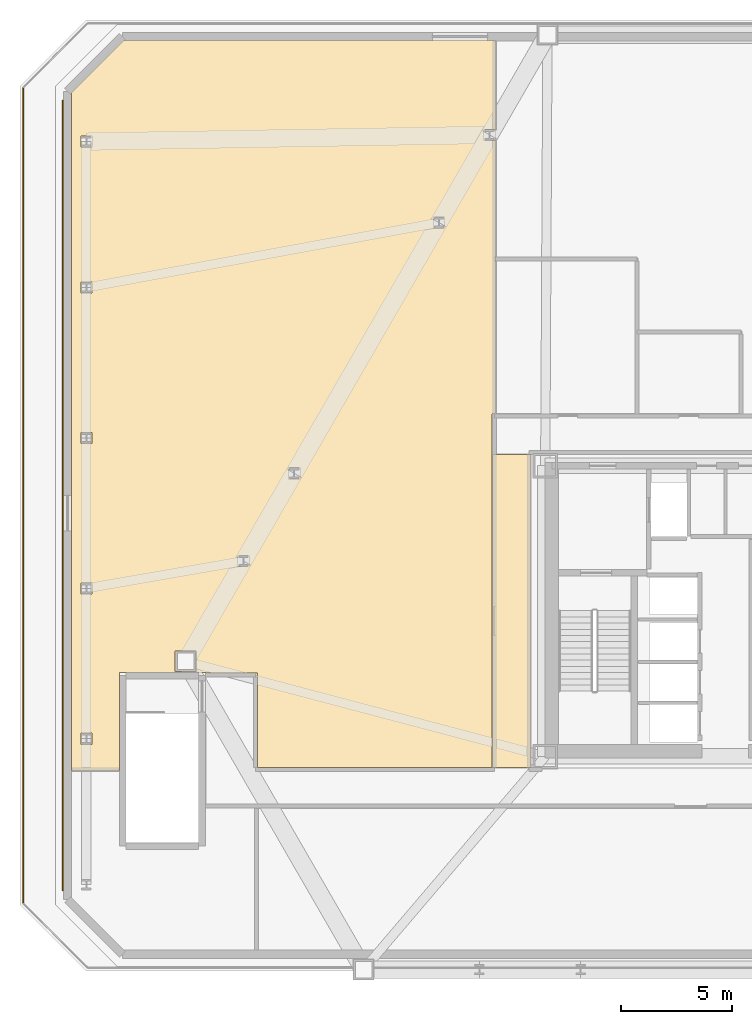
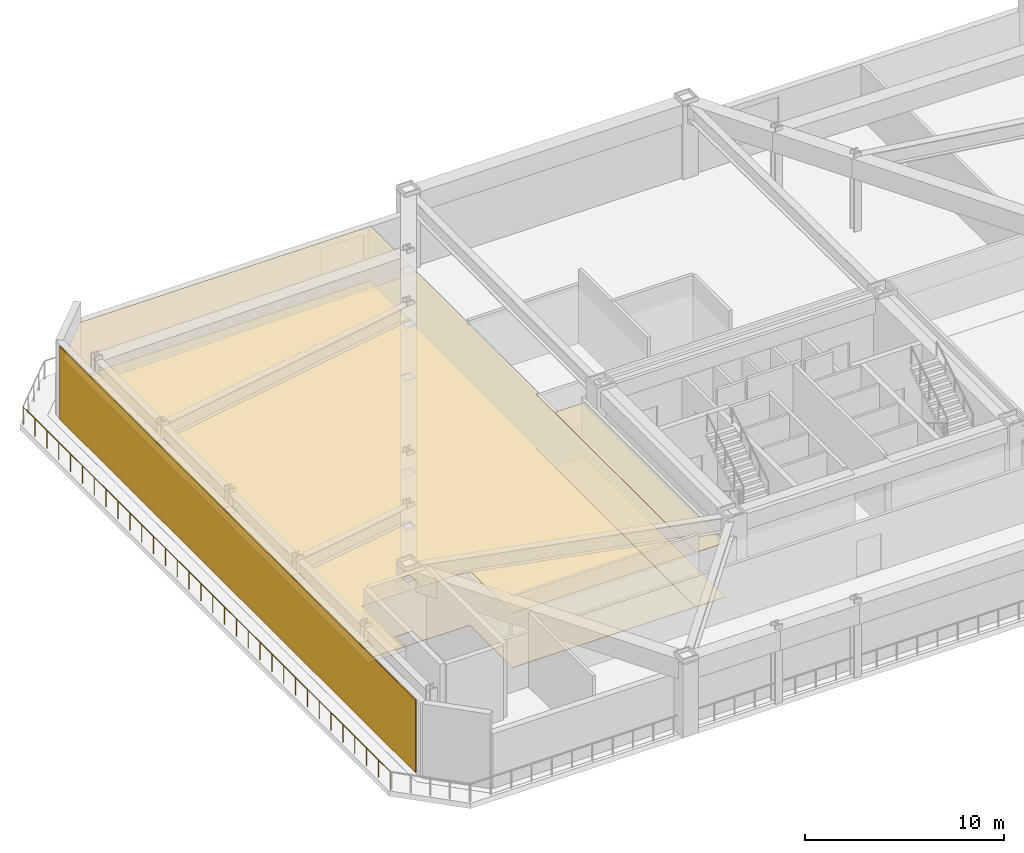
# One storey, part 7 of 10: 5 coverings, 1 railing.
"""IFC4 building model written with IfcOpenShell, lengths in metres."""

from ifc_helpers import new_model, si_unit, direction, frame, origin, origin_2d, place, context, subcontext, project, spatial, polyline, rectangle, circle, outline, extrude, material, layer, layer_set, type_object, element, save


model = new_model("IFC4")

# Units and contexts
model_context = context("Model", 3, precision=1e-05, world=origin(), true_north=direction((0.0, 1.0)))
body_context = subcontext(model_context, "Body", "Model", "MODEL_VIEW")
ifc_project = project(units=[si_unit("LENGTHUNIT", "METRE"), si_unit("AREAUNIT", "SQUARE_METRE"), si_unit("VOLUMEUNIT", "CUBIC_METRE"), si_unit("PLANEANGLEUNIT", "RADIAN"), si_unit("MASSUNIT", "GRAM", prefix="KILO")], contexts=[model_context])

# Site, building, storey
site_placement = place(None, origin())
site = spatial("IfcSite", under=ifc_project, at=site_placement, CompositionType="ELEMENT")
building_placement = place(site_placement, origin())
building = spatial("IfcBuilding", under=site, at=building_placement, Name="Oramaril Tower", CompositionType="ELEMENT")
storey_placement = place(building_placement, frame((0.0, 0.0, 22.5)))
storey = spatial("IfcBuildingStorey", under=building, at=storey_placement, Name="L05", CompositionType="ELEMENT", Elevation=22.5)

# Coverings
ifc_material_1 = material(Name="Mineral Fibre Acoustic Ceiling")
ifc_layer_1 = layer(ifc_material_1, 0.02001953125)
ifc_layer_set_1 = layer_set([ifc_layer_1], Name="CVT-CEIL")
covering_type_1 = type_object("IfcCoveringType", Name="CVT-CEIL", PredefinedType="CEILING", material=ifc_layer_set_1)
covering_1_placement = place(storey_placement, frame((0.0, 0.0, 3.342041015625)))
element("IfcCovering", 1, at=covering_1_placement, inside=storey, type_object=covering_type_1, Name="L05 Acoustic Suspended Ceiling 3", PredefinedType="CEILING", context=body_context, shape_type="SweptSolid", body=[
    extrude(outline(polyline([(28.699951171875, 10.5), (26.969970703125, 10.5), (26.969970703125, 24.64990234375), (28.699951171875, 24.64990234375), (28.699951171875, 10.5)])), origin(), (0.0, 0.0, 1.0), 0.02001953125),
])
covering_2_placement = place(storey_placement, frame((0.0, 0.0, 3.342041015625)))
element("IfcCovering", 2, at=covering_2_placement, inside=storey, type_object=covering_type_1, Name="L05 Acoustic Suspended Ceiling 5", PredefinedType="CEILING", context=body_context, shape_type="SweptSolid", body=[
    extrude(outline(polyline([(27.092041015625, 43.382080078125), (27.092041015625, 26.5), (26.969970703125, 26.5), (26.968017578125, 26.5), (26.966064453125, 26.49951171875), (26.964111328125, 26.4990234375), (26.96240234375, 26.49853515625), (26.960693359375, 26.49755859375), (26.958984375, 26.49658203125), (26.957275390625, 26.49560546875), (26.955810546875, 26.494140625), (26.95458984375, 26.49267578125), (26.953369140625, 26.4912109375), (26.952392578125, 26.489501953125), (26.951416015625, 26.48779296875), (26.950927734375, 26.48583984375), (26.950439453125, 26.48388671875), (26.9501953125, 26.48193359375), (26.949951171875, 26.47998046875), (26.949951171875, 24.669921875), (26.9501953125, 24.66796875), (26.950439453125, 24.666015625), (26.950927734375, 24.664306640625), (26.951416015625, 24.662353515625), (26.952392578125, 24.66064453125), (26.95263671875, 24.659912109375), (26.952392578125, 24.659423828125), (26.951416015625, 24.65771484375), (26.950927734375, 24.65576171875), (26.950439453125, 24.65380859375), (26.9501953125, 24.652099609375), (26.949951171875, 24.64990234375), (26.949951171875, 10.5), (16.35009765625, 10.5), (16.35009765625, 14.760009765625), (16.349853515625, 14.761962890625), (16.349609375, 14.763916015625), (16.34912109375, 14.765869140625), (16.348388671875, 14.767578125), (16.34765625, 14.769287109375), (16.3466796875, 14.77099609375), (16.345458984375, 14.772705078125), (16.343994140625, 14.774169921875), (16.3427734375, 14.775390625), (16.341064453125, 14.776611328125), (16.33935546875, 14.777587890625), (16.337646484375, 14.778564453125), (16.335693359375, 14.779052734375), (16.333984375, 14.779541015625), (16.33203125, 14.77978515625), (16.330078125, 14.780029296875), (14.0, 14.780029296875), (14.0, 14.800048828125), (10.10009765625, 14.800048828125), (10.10009765625, 10.35791015625), (7.91796875, 10.35791015625), (7.91796875, 41.002685546875), (10.29736328125, 43.382080078125), (27.092041015625, 43.382080078125)]), holes=[polyline([(8.8525390625, 12.052490234375), (8.347412109375, 12.052490234375), (8.347412109375, 11.547607421875), (8.8525390625, 11.547607421875), (8.8525390625, 12.052490234375)]), polyline([(13.559814453125, 14.830078125), (13.559814453125, 15.77001953125), (12.61962890625, 15.77001953125), (12.61962890625, 14.830078125), (13.559814453125, 14.830078125)]), polyline([(8.8525390625, 18.8525390625), (8.347412109375, 18.8525390625), (8.347412109375, 18.347412109375), (8.8525390625, 18.347412109375), (8.8525390625, 18.8525390625)]), polyline([(15.960205078125, 20.0869140625), (15.455078125, 20.0869140625), (15.455078125, 19.581787109375), (15.960205078125, 19.581787109375), (15.960205078125, 20.0869140625)]), polyline([(18.250732421875, 24.054443359375), (17.745849609375, 24.054443359375), (17.745849609375, 23.549560546875), (18.250732421875, 23.549560546875), (18.250732421875, 24.054443359375)]), polyline([(8.8525390625, 25.1474609375), (8.8525390625, 25.652587890625), (8.347412109375, 25.652587890625), (8.347412109375, 25.1474609375), (8.8525390625, 25.1474609375)]), polyline([(8.8525390625, 32.452392578125), (8.347412109375, 32.452392578125), (8.347412109375, 31.947509765625), (8.8525390625, 31.947509765625), (8.8525390625, 32.452392578125)]), polyline([(24.795654296875, 35.390380859375), (24.290771484375, 35.390380859375), (24.290771484375, 34.885498046875), (24.795654296875, 34.885498046875), (24.795654296875, 35.390380859375)]), polyline([(8.8525390625, 39.052490234375), (8.347412109375, 39.052490234375), (8.347412109375, 38.547607421875), (8.8525390625, 38.547607421875), (8.8525390625, 39.052490234375)]), polyline([(27.08642578125, 38.85302734375), (27.08642578125, 39.358154296875), (26.581298828125, 39.358154296875), (26.581298828125, 38.85302734375), (27.08642578125, 38.85302734375)])]), origin(), (0.0, 0.0, 1.0), 0.02001953125),
])
ifc_material_2 = material(Name="Warm Cream Limestone", Category="masonry")
ifc_layer_2 = layer(ifc_material_2, 0.050048828125)
ifc_layer_set_2 = layer_set([ifc_layer_2], Name="CVT-CLD")
covering_type_2 = type_object("IfcCoveringType", Name="CVT-CLD", PredefinedType="CLADDING", material=ifc_layer_set_2)
covering_3_placement = place(storey_placement, frame((7.537109375, 22.800048828125, 0.050048828125), z_axis=(0.0, 0.0, 1.0), x_axis=(0.0, -1.0, 0.0)))
element("IfcCovering", 3, at=covering_3_placement, inside=storey, type_object=covering_type_2, Name="L05 Warm Cream Limestone Cladding", PredefinedType="CLADDING", context=body_context, shape_type="SweptSolid", body=[
    extrude(rectangle(XDim=35.744384765625, YDim=0.050048828125, at=origin_2d()), origin(), (0.0, 0.0, 1.0), 4.4599609375),
])
ifc_material_3 = material(Name="Honed Quartzite Stone Flooring", Category="masonry")
ifc_layer_3 = layer(ifc_material_3, 0.02490234375)
ifc_layer_set_3 = layer_set([ifc_layer_3], Name="CVT-FLR")
covering_type_3 = type_object("IfcCoveringType", Name="CVT-FLR", PredefinedType="FLOORING", material=ifc_layer_set_3)
covering_4_placement = place(storey_placement, origin())
element("IfcCovering", 4, at=covering_4_placement, inside=storey, type_object=covering_type_3, Name="L05 Honed Stone Floor Finish 3", PredefinedType="FLOORING", context=body_context, shape_type="SweptSolid", body=[
    extrude(outline(polyline([(28.699951171875, 10.5), (26.969970703125, 10.5), (26.969970703125, 24.64990234375), (28.699951171875, 24.64990234375), (28.699951171875, 10.5)])), origin(), (0.0, 0.0, 1.0), 0.02490234375),
])
covering_5_placement = place(storey_placement, origin())
element("IfcCovering", 5, at=covering_5_placement, inside=storey, type_object=covering_type_3, Name="L05 Honed Stone Floor Finish 5", PredefinedType="FLOORING", context=body_context, shape_type="SweptSolid", body=[
    extrude(outline(polyline([(27.092041015625, 43.382080078125), (27.092041015625, 26.5), (26.969970703125, 26.5), (26.968017578125, 26.5), (26.966064453125, 26.49951171875), (26.964111328125, 26.4990234375), (26.96240234375, 26.49853515625), (26.960693359375, 26.49755859375), (26.958984375, 26.49658203125), (26.957275390625, 26.49560546875), (26.955810546875, 26.494140625), (26.95458984375, 26.49267578125), (26.953369140625, 26.4912109375), (26.952392578125, 26.489501953125), (26.951416015625, 26.48779296875), (26.950927734375, 26.48583984375), (26.950439453125, 26.48388671875), (26.9501953125, 26.48193359375), (26.949951171875, 26.47998046875), (26.949951171875, 24.669921875), (26.9501953125, 24.66796875), (26.950439453125, 24.666015625), (26.950927734375, 24.664306640625), (26.951416015625, 24.662353515625), (26.952392578125, 24.66064453125), (26.95263671875, 24.659912109375), (26.952392578125, 24.659423828125), (26.951416015625, 24.65771484375), (26.950927734375, 24.65576171875), (26.950439453125, 24.65380859375), (26.9501953125, 24.652099609375), (26.949951171875, 24.64990234375), (26.949951171875, 10.5), (16.35009765625, 10.5), (16.35009765625, 14.760009765625), (16.349853515625, 14.761962890625), (16.349609375, 14.763916015625), (16.34912109375, 14.765869140625), (16.348388671875, 14.767578125), (16.34765625, 14.769287109375), (16.3466796875, 14.77099609375), (16.345458984375, 14.772705078125), (16.343994140625, 14.774169921875), (16.3427734375, 14.775390625), (16.341064453125, 14.776611328125), (16.33935546875, 14.777587890625), (16.337646484375, 14.778564453125), (16.335693359375, 14.779052734375), (16.333984375, 14.779541015625), (16.33203125, 14.77978515625), (16.330078125, 14.780029296875), (14.0, 14.780029296875), (14.0, 14.800048828125), (10.10009765625, 14.800048828125), (10.10009765625, 10.35791015625), (7.91796875, 10.35791015625), (7.91796875, 41.002685546875), (10.29736328125, 43.382080078125), (27.092041015625, 43.382080078125)]), holes=[polyline([(8.8525390625, 12.052490234375), (8.347412109375, 12.052490234375), (8.347412109375, 11.547607421875), (8.8525390625, 11.547607421875), (8.8525390625, 12.052490234375)]), polyline([(13.559814453125, 14.830078125), (13.559814453125, 15.77001953125), (12.61962890625, 15.77001953125), (12.61962890625, 14.830078125), (13.559814453125, 14.830078125)]), polyline([(8.8525390625, 18.8525390625), (8.347412109375, 18.8525390625), (8.347412109375, 18.347412109375), (8.8525390625, 18.347412109375), (8.8525390625, 18.8525390625)]), polyline([(15.960205078125, 20.0869140625), (15.455078125, 20.0869140625), (15.455078125, 19.581787109375), (15.960205078125, 19.581787109375), (15.960205078125, 20.0869140625)]), polyline([(18.250732421875, 24.054443359375), (17.745849609375, 24.054443359375), (17.745849609375, 23.549560546875), (18.250732421875, 23.549560546875), (18.250732421875, 24.054443359375)]), polyline([(8.8525390625, 25.1474609375), (8.8525390625, 25.652587890625), (8.347412109375, 25.652587890625), (8.347412109375, 25.1474609375), (8.8525390625, 25.1474609375)]), polyline([(8.8525390625, 32.452392578125), (8.347412109375, 32.452392578125), (8.347412109375, 31.947509765625), (8.8525390625, 31.947509765625), (8.8525390625, 32.452392578125)]), polyline([(24.795654296875, 35.390380859375), (24.290771484375, 35.390380859375), (24.290771484375, 34.885498046875), (24.795654296875, 34.885498046875), (24.795654296875, 35.390380859375)]), polyline([(8.8525390625, 39.052490234375), (8.347412109375, 39.052490234375), (8.347412109375, 38.547607421875), (8.8525390625, 38.547607421875), (8.8525390625, 39.052490234375)]), polyline([(27.08642578125, 38.85302734375), (27.08642578125, 39.358154296875), (26.581298828125, 39.358154296875), (26.581298828125, 38.85302734375), (27.08642578125, 38.85302734375)])]), origin(), (0.0, 0.0, 1.0), 0.02490234375),
])

# Railing
ifc_material_4 = material(Name="Stainless Steel 316L", Category="steel")
railing_type = type_object("IfcRailingType", Name="RLT-GRD", PredefinedType="GUARDRAIL", material=ifc_material_4)
railing_placement = place(storey_placement, frame((5.739990234375, 41.2119140625, 0.0)))
element("IfcRailing", 6, at=railing_placement, inside=storey, type_object=railing_type, Name="L05 Podium Terrace Guardrail 07", PredefinedType="GUARDRAIL", context=body_context, shape_type="SweptSolid", body=[
    extrude(circle(Radius=0.02392578125, at=origin_2d()), frame((0.0, 0.0, 1.076171875), z_axis=(0.0, -1.0, 0.0), x_axis=(1.0, 0.0, 0.0)), (0.0, 0.0, 1.0), 36.823974609375),
    extrude(circle(Radius=0.02099609375, at=origin_2d()), origin(), (0.0, 0.0, 1.0), 1.052001953125),
    extrude(circle(Radius=0.02099609375, at=origin_2d()), frame((0.0, -1.18798828125, 0.0)), (0.0, 0.0, 1.0), 1.052001953125),
    extrude(circle(Radius=0.02099609375, at=origin_2d()), frame((0.0, -2.375732421875, 0.0)), (0.0, 0.0, 1.0), 1.052001953125),
    extrude(circle(Radius=0.02099609375, at=origin_2d()), frame((0.0, -3.563720703125, 0.0)), (0.0, 0.0, 1.0), 1.052001953125),
    extrude(circle(Radius=0.02099609375, at=origin_2d()), frame((0.0, -4.75146484375, 0.0)), (0.0, 0.0, 1.0), 1.052001953125),
    extrude(circle(Radius=0.02099609375, at=origin_2d()), frame((0.0, -5.939453125, 0.0)), (0.0, 0.0, 1.0), 1.052001953125),
    extrude(circle(Radius=0.02099609375, at=origin_2d()), frame((0.0, -7.127197265625, 0.0)), (0.0, 0.0, 1.0), 1.052001953125),
    extrude(circle(Radius=0.02099609375, at=origin_2d()), frame((0.0, -8.315185546875, 0.0)), (0.0, 0.0, 1.0), 1.052001953125),
    extrude(circle(Radius=0.02099609375, at=origin_2d()), frame((0.0, -9.5029296875, 0.0)), (0.0, 0.0, 1.0), 1.052001953125),
    extrude(circle(Radius=0.02099609375, at=origin_2d()), frame((0.0, -10.69091796875, 0.0)), (0.0, 0.0, 1.0), 1.052001953125),
    extrude(circle(Radius=0.02099609375, at=origin_2d()), frame((0.0, -11.878662109375, 0.0)), (0.0, 0.0, 1.0), 1.052001953125),
    extrude(circle(Radius=0.02099609375, at=origin_2d()), frame((0.0, -13.066650390625, 0.0)), (0.0, 0.0, 1.0), 1.052001953125),
    extrude(circle(Radius=0.02099609375, at=origin_2d()), frame((0.0, -14.25439453125, 0.0)), (0.0, 0.0, 1.0), 1.052001953125),
    extrude(circle(Radius=0.02099609375, at=origin_2d()), frame((0.0, -15.4423828125, 0.0)), (0.0, 0.0, 1.0), 1.052001953125),
    extrude(circle(Radius=0.02099609375, at=origin_2d()), frame((0.0, -16.630126953125, 0.0)), (0.0, 0.0, 1.0), 1.052001953125),
    extrude(circle(Radius=0.02099609375, at=origin_2d()), frame((0.0, -17.818115234375, 0.0)), (0.0, 0.0, 1.0), 1.052001953125),
    extrude(circle(Radius=0.02099609375, at=origin_2d()), frame((0.0, -19.005859375, 0.0)), (0.0, 0.0, 1.0), 1.052001953125),
    extrude(circle(Radius=0.02099609375, at=origin_2d()), frame((0.0, -20.19384765625, 0.0)), (0.0, 0.0, 1.0), 1.052001953125),
    extrude(circle(Radius=0.02099609375, at=origin_2d()), frame((0.0, -21.381591796875, 0.0)), (0.0, 0.0, 1.0), 1.052001953125),
    extrude(circle(Radius=0.02099609375, at=origin_2d()), frame((0.0, -22.569580078125, 0.0)), (0.0, 0.0, 1.0), 1.052001953125),
    extrude(circle(Radius=0.02099609375, at=origin_2d()), frame((0.0, -23.75732421875, 0.0)), (0.0, 0.0, 1.0), 1.052001953125),
    extrude(circle(Radius=0.02099609375, at=origin_2d()), frame((0.0, -24.9453125, 0.0)), (0.0, 0.0, 1.0), 1.052001953125),
    extrude(circle(Radius=0.02099609375, at=origin_2d()), frame((0.0, -26.133056640625, 0.0)), (0.0, 0.0, 1.0), 1.052001953125),
    extrude(circle(Radius=0.02099609375, at=origin_2d()), frame((0.0, -27.321044921875, 0.0)), (0.0, 0.0, 1.0), 1.052001953125),
    extrude(circle(Radius=0.02099609375, at=origin_2d()), frame((0.0, -28.5087890625, 0.0)), (0.0, 0.0, 1.0), 1.052001953125),
    extrude(circle(Radius=0.02099609375, at=origin_2d()), frame((0.0, -29.69677734375, 0.0)), (0.0, 0.0, 1.0), 1.052001953125),
    extrude(circle(Radius=0.02099609375, at=origin_2d()), frame((0.0, -30.884521484375, 0.0)), (0.0, 0.0, 1.0), 1.052001953125),
    extrude(circle(Radius=0.02099609375, at=origin_2d()), frame((0.0, -32.072509765625, 0.0)), (0.0, 0.0, 1.0), 1.052001953125),
    extrude(circle(Radius=0.02099609375, at=origin_2d()), frame((0.0, -33.26025390625, 0.0)), (0.0, 0.0, 1.0), 1.052001953125),
    extrude(circle(Radius=0.02099609375, at=origin_2d()), frame((0.0, -34.4482421875, 0.0)), (0.0, 0.0, 1.0), 1.052001953125),
    extrude(circle(Radius=0.02099609375, at=origin_2d()), frame((0.0, -35.635986328125, 0.0)), (0.0, 0.0, 1.0), 1.052001953125),
    extrude(circle(Radius=0.02099609375, at=origin_2d()), frame((0.0, -36.823974609375, 0.0)), (0.0, 0.0, 1.0), 1.052001953125),
])

save(model, "model.ifc")
